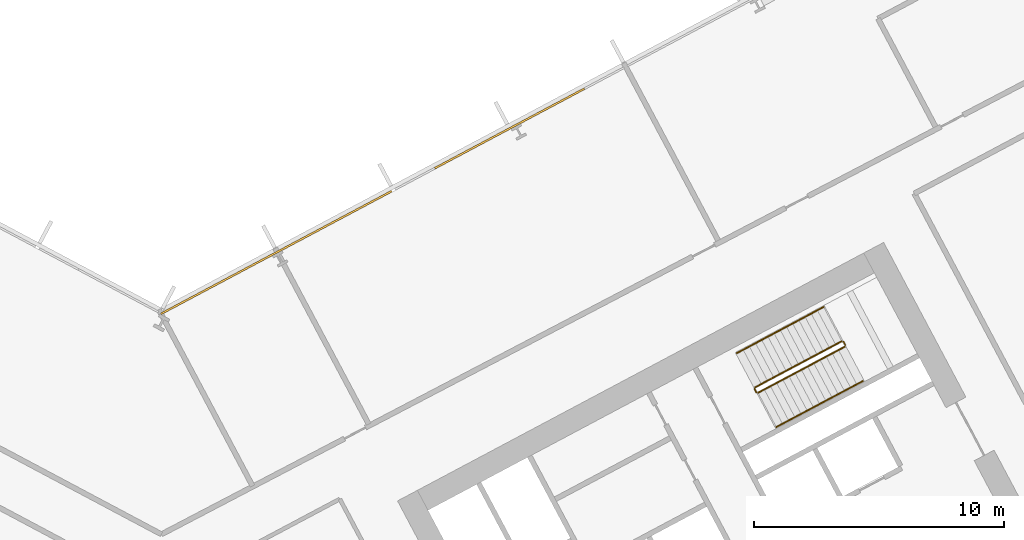
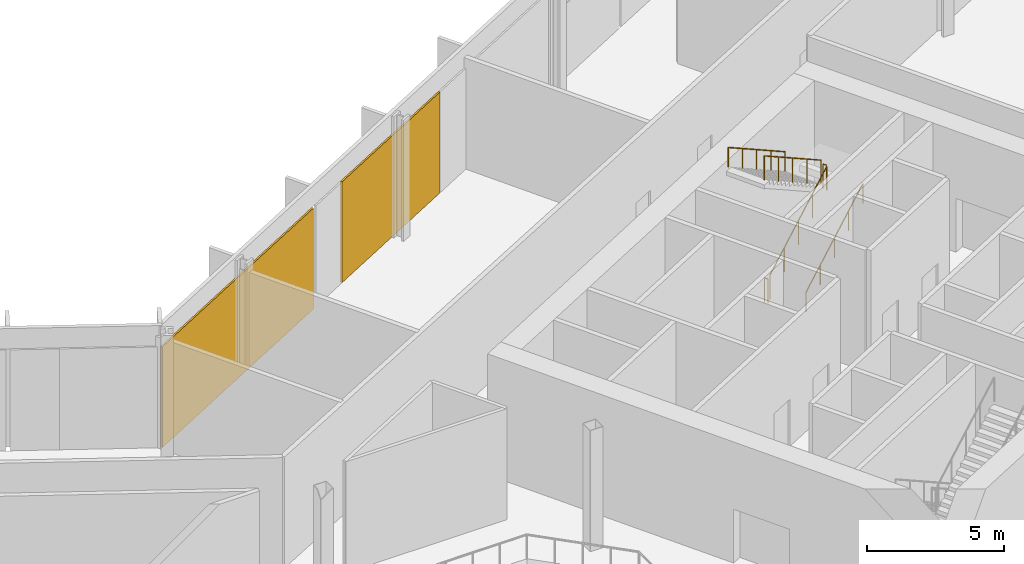
# One storey, part 29 of 31: 6 railings, 2 coverings, 1 element without a shape of its own.
"""IFC4 building model written with IfcOpenShell, lengths in metres."""

from ifc_helpers import new_model, si_unit, direction, frame, origin, origin_2d, place, context, subcontext, project, spatial, polyline, rectangle, outline, extrude, material, layer, layer_set, type_object, element, aggregate, save


model = new_model("IFC4")

# Units and contexts
model_context = context("Model", 3, precision=1e-05, world=origin(), true_north=direction((0.0, 1.0)))
body_context = subcontext(model_context, "Body", "Model", "MODEL_VIEW")
ifc_project = project(units=[si_unit("LENGTHUNIT", "METRE"), si_unit("AREAUNIT", "SQUARE_METRE"), si_unit("VOLUMEUNIT", "CUBIC_METRE"), si_unit("PLANEANGLEUNIT", "RADIAN"), si_unit("MASSUNIT", "GRAM", prefix="KILO")], contexts=[model_context])

# Site, building, storey
site_placement = place(None, origin())
site = spatial("IfcSite", under=ifc_project, at=site_placement, CompositionType="ELEMENT")
building_placement = place(site_placement, origin())
building = spatial("IfcBuilding", under=site, at=building_placement, Name="Cormorant Relay Tower", CompositionType="ELEMENT")
storey_placement = place(building_placement, frame((0.0, 0.0, 23.0)))
storey = spatial("IfcBuildingStorey", under=building, at=storey_placement, Name="L04", CompositionType="ELEMENT", Elevation=23.0)

# Curtain wall, coverings
ifc_material_1 = material(Name="Aluminium 6063-T6 anodised bronze", Category="aluminium")
ifc_layer_1 = layer(ifc_material_1, 0.235107421875)
ifc_layer_set_1 = layer_set([ifc_layer_1], Name="CW6 data hall curtain wall with mineral wool panels")
curtain_wall_type = type_object("IfcCurtainWallType", Name="CW6 data hall curtain wall with mineral wool panels", PredefinedType="NOTDEFINED", material=ifc_layer_set_1)
curtain_wall_placement = place(storey_placement, origin())
curtain_wall = element("IfcCurtainWall", 1, at=curtain_wall_placement, inside=storey, type_object=curtain_wall_type, Name="CW6 curtain wall 6", PredefinedType="NOTDEFINED")
ifc_material_2 = material(Name="Mineral wool cored anodised bronze aluminium cassette panel", Category="aluminium")
ifc_layer_2 = layer(ifc_material_2, 0.074951171875)
ifc_layer_set_2 = layer_set([ifc_layer_2], Name="CW6 mineral wool cassette panel 75")
covering_type = type_object("IfcCoveringType", Name="CW6 mineral wool cassette panel 75", PredefinedType="CLADDING", material=ifc_layer_set_2)
covering_1_placement = place(storey_placement, frame((13.9091796875, 31.221923828125, 0.0), z_axis=(0.0, 0.0, 1.0), x_axis=(-0.882947592859, -0.469471562786, 0.0)))
covering_1 = element("IfcCovering", 2, at=covering_1_placement, type_object=covering_type, Name="CW6 panel S07", PredefinedType="CLADDING", context=body_context, shape_type="SweptSolid", body=[
    extrude(rectangle(XDim=6.765380859375, YDim=0.074951171875, at=origin_2d()), origin(), (0.0, 0.0, 1.0), 4.5),
])
covering_2_placement = place(storey_placement, frame((4.591552734375, 26.267822265625, 0.0), z_axis=(0.0, 0.0, 1.0), x_axis=(-0.882947592859, -0.469471562786, 0.0)))
covering_2 = element("IfcCovering", 3, at=covering_2_placement, type_object=covering_type, Name="CW6 panel S09", PredefinedType="CLADDING", context=body_context, shape_type="SweptSolid", body=[
    extrude(rectangle(XDim=10.440185546875, YDim=0.074951171875, at=origin_2d()), origin(), (0.0, 0.0, 1.0), 4.5),
])
aggregate(curtain_wall, [covering_1, covering_2])

# Railings
ifc_material_3 = material(Name="Steel ASTM A572 Grade 50 (Fy 345 MPa)", Category="steel")
railing_type_1 = type_object("IfcRailingType", Name="Stair guard 1100", PredefinedType="GUARDRAIL", material=ifc_material_3)
railing_1_placement = place(storey_placement, frame((23.8408203125, 20.6611328125, 0.179931640625)))
element("IfcRailing", 4, at=railing_1_placement, inside=storey, type_object=railing_type_1, Name="L04 B2 stair guard 1", PredefinedType="GUARDRAIL", context=body_context, shape_type="SweptSolid", body=[
    extrude(outline(polyline([(0.022216796875, 0.00927734375), (0.00927734375, 0.022216796875), (-0.00927734375, 0.022216796875), (-0.022216796875, 0.00927734375), (-0.022216796875, -0.00927734375), (-0.00927734375, -0.022216796875), (0.00927734375, -0.022216796875), (0.022216796875, -0.00927734375), (0.022216796875, 0.00927734375)])), frame((0.0, 0.0, 1.076171875), z_axis=(0.74271721126, 0.394907409077, 0.540758062681), x_axis=(-0.469469396681, 0.882948744594, 0.0)), (0.0, 0.0, 1.0), 4.66015625),
    extrude(outline(polyline([(0.019287109375, 0.008056640625), (0.008056640625, 0.019287109375), (-0.008056640625, 0.019287109375), (-0.019287109375, 0.008056640625), (-0.019287109375, -0.008056640625), (-0.008056640625, -0.019287109375), (0.008056640625, -0.019287109375), (0.019287109375, -0.008056640625), (0.019287109375, 0.008056640625)])), origin(), (0.0, 0.0, 1.0), 1.052001953125),
    extrude(outline(polyline([(0.019287109375, 0.008056640625), (0.008056640625, 0.019287109375), (-0.008056640625, 0.019287109375), (-0.019287109375, 0.008056640625), (-0.019287109375, -0.008056640625), (-0.008056640625, -0.019287109375), (0.008056640625, -0.019287109375), (0.019287109375, -0.008056640625), (0.019287109375, 0.008056640625)])), frame((0.865234375, 0.4599609375, 0.6298828125)), (0.0, 0.0, 1.0), 1.052001953125),
    extrude(outline(polyline([(0.019287109375, 0.008056640625), (0.008056640625, 0.019287109375), (-0.008056640625, 0.019287109375), (-0.019287109375, 0.008056640625), (-0.019287109375, -0.008056640625), (-0.008056640625, -0.019287109375), (0.008056640625, -0.019287109375), (0.019287109375, -0.008056640625), (0.019287109375, 0.008056640625)])), frame((1.73046875, 0.920166015625, 1.260009765625)), (0.0, 0.0, 1.0), 1.052001953125),
    extrude(outline(polyline([(0.019287109375, 0.008056640625), (0.008056640625, 0.019287109375), (-0.008056640625, 0.019287109375), (-0.019287109375, 0.008056640625), (-0.019287109375, -0.008056640625), (-0.008056640625, -0.019287109375), (0.008056640625, -0.019287109375), (0.019287109375, -0.008056640625), (0.019287109375, 0.008056640625)])), frame((2.595947265625, 1.38037109375, 1.89013671875)), (0.0, 0.0, 1.0), 1.052001953125),
    extrude(outline(polyline([(0.019287109375, 0.008056640625), (0.008056640625, 0.019287109375), (-0.008056640625, 0.019287109375), (-0.019287109375, 0.008056640625), (-0.019287109375, -0.008056640625), (-0.008056640625, -0.019287109375), (0.008056640625, -0.019287109375), (0.019287109375, -0.008056640625), (0.019287109375, 0.008056640625)])), frame((3.461181640625, 1.84033203125, 2.52001953125)), (0.0, 0.0, 1.0), 1.052001953125),
])
railing_2_placement = place(storey_placement, frame((27.32275390625, 22.569091796875, 2.699951171875)))
element("IfcRailing", 5, at=railing_2_placement, inside=storey, type_object=railing_type_1, Name="L04 B2 stair guard 2", PredefinedType="GUARDRAIL", context=body_context, shape_type="SweptSolid", body=[
    extrude(outline(polyline([(0.022216796875, 0.00927734375), (0.00927734375, 0.022216796875), (-0.00927734375, 0.022216796875), (-0.022216796875, 0.00927734375), (-0.022216796875, -0.00927734375), (-0.00927734375, -0.022216796875), (0.00927734375, -0.022216796875), (0.022216796875, -0.00927734375), (0.022216796875, 0.00927734375)])), frame((0.0, 0.0, 1.076171875), z_axis=(-0.470503732759, 0.882398003998, 0.0), x_axis=(-0.882398003998, -0.470503732759, 0.0)), (0.0, 0.0, 1.0), 0.14990234375),
    extrude(outline(polyline([(0.019287109375, 0.008056640625), (0.008056640625, 0.019287109375), (-0.008056640625, 0.019287109375), (-0.019287109375, 0.008056640625), (-0.019287109375, -0.008056640625), (-0.008056640625, -0.019287109375), (0.008056640625, -0.019287109375), (0.019287109375, -0.008056640625), (0.019287109375, 0.008056640625)])), origin(), (0.0, 0.0, 1.0), 1.052001953125),
    extrude(outline(polyline([(0.019287109375, 0.008056640625), (0.008056640625, 0.019287109375), (-0.008056640625, 0.019287109375), (-0.019287109375, 0.008056640625), (-0.019287109375, -0.008056640625), (-0.008056640625, -0.019287109375), (0.008056640625, -0.019287109375), (0.019287109375, -0.008056640625), (0.019287109375, 0.008056640625)])), frame((-0.070556640625, 0.13232421875, 0.0)), (0.0, 0.0, 1.0), 1.052001953125),
])
railing_3_placement = place(storey_placement, frame((27.1845703125, 22.72216796875, 2.8798828125)))
element("IfcRailing", 6, at=railing_3_placement, inside=storey, type_object=railing_type_1, Name="L04 B2 stair guard 3", PredefinedType="GUARDRAIL", context=body_context, shape_type="SweptSolid", body=[
    extrude(outline(polyline([(0.022216796875, 0.00927734375), (0.00927734375, 0.022216796875), (-0.00927734375, 0.022216796875), (-0.022216796875, 0.00927734375), (-0.022216796875, -0.00927734375), (-0.00927734375, -0.022216796875), (0.00927734375, -0.022216796875), (0.022216796875, -0.00927734375), (0.022216796875, 0.00927734375)])), frame((0.0, 0.0, 1.076171875), z_axis=(-0.74271721126, -0.394907409077, 0.540758062681), x_axis=(0.469469396681, -0.882948744594, 0.0)), (0.0, 0.0, 1.0), 4.66015625),
    extrude(outline(polyline([(0.019287109375, 0.008056640625), (0.008056640625, 0.019287109375), (-0.008056640625, 0.019287109375), (-0.019287109375, 0.008056640625), (-0.019287109375, -0.008056640625), (-0.008056640625, -0.019287109375), (0.008056640625, -0.019287109375), (0.019287109375, -0.008056640625), (0.019287109375, 0.008056640625)])), origin(), (0.0, 0.0, 1.0), 1.052001953125),
    extrude(outline(polyline([(0.019287109375, 0.008056640625), (0.008056640625, 0.019287109375), (-0.008056640625, 0.019287109375), (-0.019287109375, 0.008056640625), (-0.019287109375, -0.008056640625), (-0.008056640625, -0.019287109375), (0.008056640625, -0.019287109375), (0.019287109375, -0.008056640625), (0.019287109375, 0.008056640625)])), frame((-0.865234375, -0.4599609375, 0.6298828125)), (0.0, 0.0, 1.0), 1.052001953125),
    extrude(outline(polyline([(0.019287109375, 0.008056640625), (0.008056640625, 0.019287109375), (-0.008056640625, 0.019287109375), (-0.019287109375, 0.008056640625), (-0.019287109375, -0.008056640625), (-0.008056640625, -0.019287109375), (0.008056640625, -0.019287109375), (0.019287109375, -0.008056640625), (0.019287109375, 0.008056640625)])), frame((-1.73046875, -0.920166015625, 1.260009765625)), (0.0, 0.0, 1.0), 1.052001953125),
    extrude(outline(polyline([(0.019287109375, 0.008056640625), (0.008056640625, 0.019287109375), (-0.008056640625, 0.019287109375), (-0.019287109375, 0.008056640625), (-0.019287109375, -0.008056640625), (-0.008056640625, -0.019287109375), (0.008056640625, -0.019287109375), (0.019287109375, -0.008056640625), (0.019287109375, 0.008056640625)])), frame((-2.595947265625, -1.38037109375, 1.89013671875)), (0.0, 0.0, 1.0), 1.052001953125),
    extrude(outline(polyline([(0.019287109375, 0.008056640625), (0.008056640625, 0.019287109375), (-0.008056640625, 0.019287109375), (-0.019287109375, 0.008056640625), (-0.019287109375, -0.008056640625), (-0.008056640625, -0.019287109375), (0.008056640625, -0.019287109375), (0.019287109375, -0.008056640625), (0.019287109375, 0.008056640625)])), frame((-3.461181640625, -1.84033203125, 2.52001953125)), (0.0, 0.0, 1.0), 1.052001953125),
])
railing_4_placement = place(storey_placement, frame((23.773193359375, 20.681640625, 0.0)))
element("IfcRailing", 7, at=railing_4_placement, inside=storey, type_object=railing_type_1, Name="L04 B2 stair guard 4", PredefinedType="GUARDRAIL", context=body_context, shape_type="SweptSolid", body=[
    extrude(outline(polyline([(0.022216796875, 0.00927734375), (0.00927734375, 0.022216796875), (-0.00927734375, 0.022216796875), (-0.022216796875, 0.00927734375), (-0.022216796875, -0.00927734375), (-0.00927734375, -0.022216796875), (0.00927734375, -0.022216796875), (0.022216796875, -0.00927734375), (0.022216796875, 0.00927734375)])), frame((0.0, 0.0, 1.076171875), z_axis=(-0.46856034887, 0.8834314911, 0.0), x_axis=(-0.8834314911, -0.46856034887, 0.0)), (0.0, 0.0, 1.0), 0.150146484375),
    extrude(outline(polyline([(0.019287109375, 0.008056640625), (0.008056640625, 0.019287109375), (-0.008056640625, 0.019287109375), (-0.019287109375, 0.008056640625), (-0.019287109375, -0.008056640625), (-0.008056640625, -0.019287109375), (0.008056640625, -0.019287109375), (0.019287109375, -0.008056640625), (0.019287109375, 0.008056640625)])), origin(), (0.0, 0.0, 1.0), 1.052001953125),
    extrude(outline(polyline([(0.019287109375, 0.008056640625), (0.008056640625, 0.019287109375), (-0.008056640625, 0.019287109375), (-0.019287109375, 0.008056640625), (-0.019287109375, -0.008056640625), (-0.008056640625, -0.019287109375), (0.008056640625, -0.019287109375), (0.019287109375, -0.008056640625), (0.019287109375, 0.008056640625)])), frame((-0.0703125, 0.132568359375, 0.0)), (0.0, 0.0, 1.0), 1.052001953125),
])
ifc_material_4 = material(Name="Steel ASTM A572 Grade 50 (Fy 345 MPa)", Category="steel")
railing_type_2 = type_object("IfcRailingType", Name="Stair handrail 900", PredefinedType="HANDRAIL", material=ifc_material_4)
railing_5_placement = place(storey_placement, frame((24.568603515625, 19.29248046875, 0.179931640625)))
element("IfcRailing", 8, at=railing_5_placement, inside=storey, type_object=railing_type_2, Name="L04 B2 stair handrail 1", PredefinedType="HANDRAIL", context=body_context, shape_type="SweptSolid", body=[
    extrude(outline(polyline([(0.022216796875, 0.00927734375), (0.00927734375, 0.022216796875), (-0.00927734375, 0.022216796875), (-0.022216796875, 0.00927734375), (-0.022216796875, -0.00927734375), (-0.00927734375, -0.022216796875), (0.00927734375, -0.022216796875), (0.022216796875, -0.00927734375), (0.022216796875, 0.00927734375)])), frame((0.0, 0.0, 0.8759765625), z_axis=(0.74271721126, 0.394907409077, 0.540758062681), x_axis=(-0.469469396681, 0.882948744594, 0.0)), (0.0, 0.0, 1.0), 4.66015625),
    extrude(outline(polyline([(0.019287109375, 0.008056640625), (0.008056640625, 0.019287109375), (-0.008056640625, 0.019287109375), (-0.019287109375, 0.008056640625), (-0.019287109375, -0.008056640625), (-0.008056640625, -0.019287109375), (0.008056640625, -0.019287109375), (0.019287109375, -0.008056640625), (0.019287109375, 0.008056640625)])), origin(), (0.0, 0.0, 1.0), 0.851806640625),
    extrude(outline(polyline([(0.019287109375, 0.008056640625), (0.008056640625, 0.019287109375), (-0.008056640625, 0.019287109375), (-0.019287109375, 0.008056640625), (-0.019287109375, -0.008056640625), (-0.008056640625, -0.019287109375), (0.008056640625, -0.019287109375), (0.019287109375, -0.008056640625), (0.019287109375, 0.008056640625)])), frame((0.865234375, 0.4599609375, 0.6298828125)), (0.0, 0.0, 1.0), 0.851806640625),
    extrude(outline(polyline([(0.019287109375, 0.008056640625), (0.008056640625, 0.019287109375), (-0.008056640625, 0.019287109375), (-0.019287109375, 0.008056640625), (-0.019287109375, -0.008056640625), (-0.008056640625, -0.019287109375), (0.008056640625, -0.019287109375), (0.019287109375, -0.008056640625), (0.019287109375, 0.008056640625)])), frame((1.73046875, 0.920166015625, 1.260009765625)), (0.0, 0.0, 1.0), 0.851806640625),
    extrude(outline(polyline([(0.019287109375, 0.008056640625), (0.008056640625, 0.019287109375), (-0.008056640625, 0.019287109375), (-0.019287109375, 0.008056640625), (-0.019287109375, -0.008056640625), (-0.008056640625, -0.019287109375), (0.008056640625, -0.019287109375), (0.019287109375, -0.008056640625), (0.019287109375, 0.008056640625)])), frame((2.595947265625, 1.38037109375, 1.89013671875)), (0.0, 0.0, 1.0), 0.851806640625),
    extrude(outline(polyline([(0.019287109375, 0.008056640625), (0.008056640625, 0.019287109375), (-0.008056640625, 0.019287109375), (-0.019287109375, 0.008056640625), (-0.019287109375, -0.008056640625), (-0.008056640625, -0.019287109375), (0.008056640625, -0.019287109375), (0.019287109375, -0.008056640625), (0.019287109375, 0.008056640625)])), frame((3.461181640625, 1.84033203125, 2.52001953125)), (0.0, 0.0, 1.0), 0.851806640625),
])
railing_6_placement = place(storey_placement, frame((26.45703125, 24.090576171875, 2.8798828125)))
element("IfcRailing", 9, at=railing_6_placement, inside=storey, type_object=railing_type_2, Name="L04 B2 stair handrail 2", PredefinedType="HANDRAIL", context=body_context, shape_type="SweptSolid", body=[
    extrude(outline(polyline([(0.022216796875, 0.00927734375), (0.00927734375, 0.022216796875), (-0.00927734375, 0.022216796875), (-0.022216796875, 0.00927734375), (-0.022216796875, -0.00927734375), (-0.00927734375, -0.022216796875), (0.00927734375, -0.022216796875), (0.022216796875, -0.00927734375), (0.022216796875, 0.00927734375)])), frame((0.0, 0.0, 0.8759765625), z_axis=(-0.74271721126, -0.394907409077, 0.540758062681), x_axis=(0.469469396681, -0.882948744594, 0.0)), (0.0, 0.0, 1.0), 4.66015625),
    extrude(outline(polyline([(0.019287109375, 0.008056640625), (0.008056640625, 0.019287109375), (-0.008056640625, 0.019287109375), (-0.019287109375, 0.008056640625), (-0.019287109375, -0.008056640625), (-0.008056640625, -0.019287109375), (0.008056640625, -0.019287109375), (0.019287109375, -0.008056640625), (0.019287109375, 0.008056640625)])), origin(), (0.0, 0.0, 1.0), 0.851806640625),
    extrude(outline(polyline([(0.019287109375, 0.008056640625), (0.008056640625, 0.019287109375), (-0.008056640625, 0.019287109375), (-0.019287109375, 0.008056640625), (-0.019287109375, -0.008056640625), (-0.008056640625, -0.019287109375), (0.008056640625, -0.019287109375), (0.019287109375, -0.008056640625), (0.019287109375, 0.008056640625)])), frame((-0.865234375, -0.4599609375, 0.6298828125)), (0.0, 0.0, 1.0), 0.851806640625),
    extrude(outline(polyline([(0.019287109375, 0.008056640625), (0.008056640625, 0.019287109375), (-0.008056640625, 0.019287109375), (-0.019287109375, 0.008056640625), (-0.019287109375, -0.008056640625), (-0.008056640625, -0.019287109375), (0.008056640625, -0.019287109375), (0.019287109375, -0.008056640625), (0.019287109375, 0.008056640625)])), frame((-1.73046875, -0.920166015625, 1.260009765625)), (0.0, 0.0, 1.0), 0.851806640625),
    extrude(outline(polyline([(0.019287109375, 0.008056640625), (0.008056640625, 0.019287109375), (-0.008056640625, 0.019287109375), (-0.019287109375, 0.008056640625), (-0.019287109375, -0.008056640625), (-0.008056640625, -0.019287109375), (0.008056640625, -0.019287109375), (0.019287109375, -0.008056640625), (0.019287109375, 0.008056640625)])), frame((-2.595947265625, -1.38037109375, 1.89013671875)), (0.0, 0.0, 1.0), 0.851806640625),
    extrude(outline(polyline([(0.019287109375, 0.008056640625), (0.008056640625, 0.019287109375), (-0.008056640625, 0.019287109375), (-0.019287109375, 0.008056640625), (-0.019287109375, -0.008056640625), (-0.008056640625, -0.019287109375), (0.008056640625, -0.019287109375), (0.019287109375, -0.008056640625), (0.019287109375, 0.008056640625)])), frame((-3.461181640625, -1.84033203125, 2.52001953125)), (0.0, 0.0, 1.0), 0.851806640625),
])

save(model, "model.ifc")
